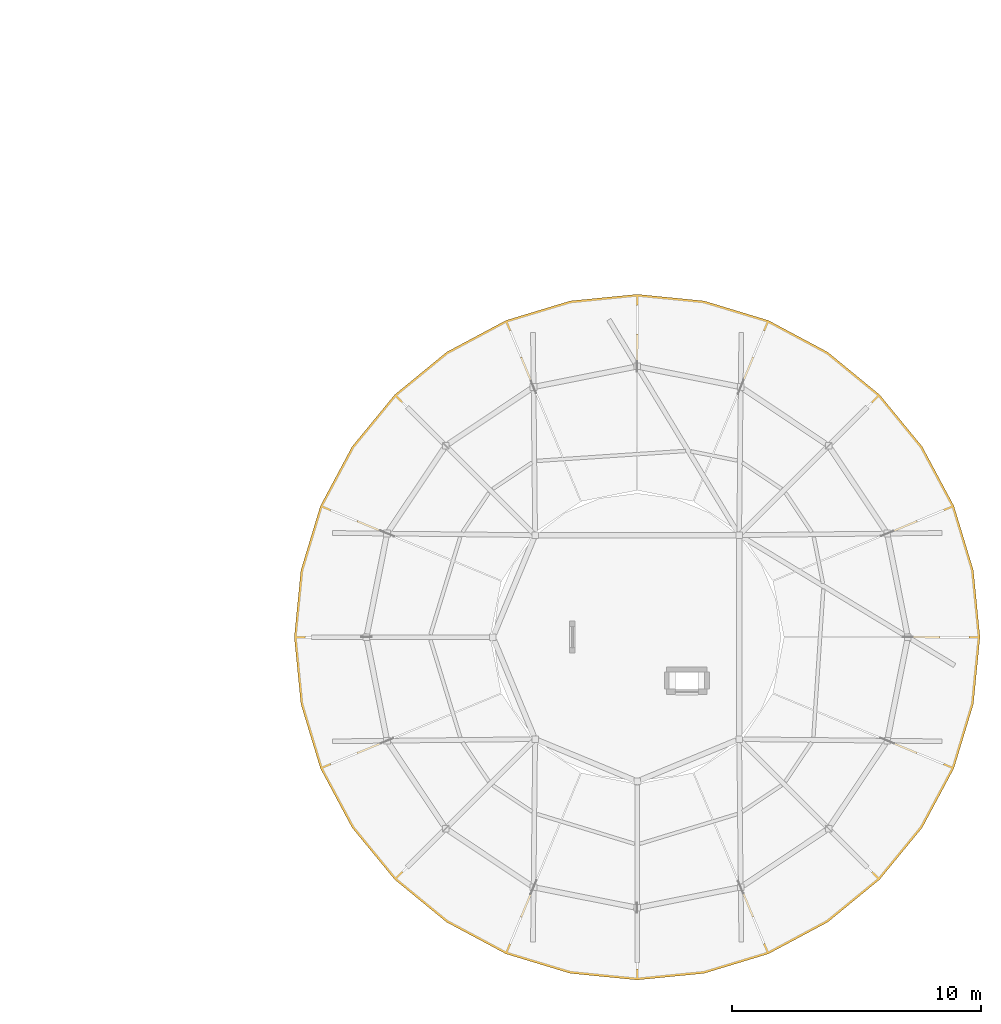
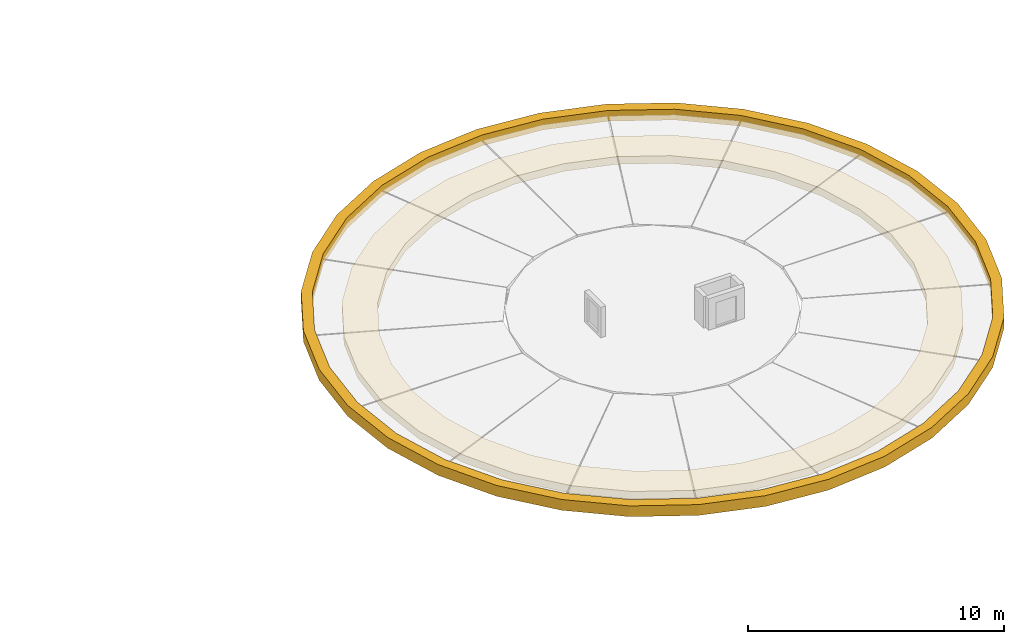
# One storey, part 34 of 37: 2 coverings.
"""IFC4 building model written with IfcOpenShell, lengths in metres."""

from ifc_helpers import new_model, si_unit, direction, frame, origin, place, context, subcontext, project, spatial, polyline, outline, extrude, material, layer, layer_set, type_object, element, save


model = new_model("IFC4")

# Units and contexts
model_context = context("Model", 3, precision=1e-05, world=origin(), true_north=direction((0.0, 1.0)))
body_context = subcontext(model_context, "Body", "Model", "MODEL_VIEW")
ifc_project = project(units=[si_unit("LENGTHUNIT", "METRE"), si_unit("AREAUNIT", "SQUARE_METRE"), si_unit("VOLUMEUNIT", "CUBIC_METRE"), si_unit("PLANEANGLEUNIT", "RADIAN"), si_unit("MASSUNIT", "GRAM", prefix="KILO")], contexts=[model_context])

# Site, building, storey
site_placement = place(None, origin())
site = spatial("IfcSite", under=ifc_project, at=site_placement, CompositionType="ELEMENT")
building_placement = place(site_placement, origin())
building = spatial("IfcBuilding", under=site, at=building_placement, Name="Aldenvaro Health Centre", CompositionType="ELEMENT")
storey_placement = place(building_placement, frame((0.0, 0.0, 12.949951171875)))
storey = spatial("IfcBuildingStorey", under=building, at=storey_placement, Name="L03", CompositionType="ELEMENT", Elevation=12.949951171875)

# Coverings
ifc_material = material(Name="Honed Sonoran Buff Limestone", Category="masonry")
ifc_layer = layer(ifc_material, 0.280029296875, Name="Honed Sonoran Buff Limestone", Category="masonry")
ifc_layer_set = layer_set([ifc_layer], Name="Honed Sonoran Buff Limestone")
covering_type = type_object("IfcCoveringType", Name="COV-CRN-STN", PredefinedType="CLADDING", material=ifc_layer_set)
covering_1_placement = place(storey_placement, frame((0.0, 0.0, 0.260009765625)))
element("IfcCovering", 1, at=covering_1_placement, inside=storey, type_object=covering_type, Name="D6 Classical Roof Entablature Frieze 1", PredefinedType="CLADDING", context=body_context, shape_type="SweptSolid", body=[
    extrude(outline(polyline([(166.679931640625, 18.5), (166.446044921875, 20.8759765625), (165.7529296875, 23.160888671875), (164.626953125, 25.26708984375), (163.113037109375, 27.113037109375), (161.26708984375, 28.626953125), (159.160888671875, 29.7529296875), (156.8759765625, 30.446044921875), (154.5, 30.679931640625), (152.1240234375, 30.446044921875), (149.839111328125, 29.7529296875), (147.73291015625, 28.626953125), (145.886962890625, 27.113037109375), (144.373046875, 25.26708984375), (143.2470703125, 23.160888671875), (142.553955078125, 20.8759765625), (142.320068359375, 18.5), (142.553955078125, 16.1240234375), (143.2470703125, 13.839111328125), (144.373046875, 11.73291015625), (145.886962890625, 9.886962890625), (147.73291015625, 8.373046875), (149.839111328125, 7.2470703125), (152.1240234375, 6.553955078125), (154.5, 6.320068359375), (156.8759765625, 6.553955078125), (159.160888671875, 7.2470703125), (161.26708984375, 8.373046875), (163.113037109375, 9.886962890625), (164.626953125, 11.73291015625), (165.7529296875, 13.839111328125), (166.446044921875, 16.1240234375), (166.679931640625, 18.5)]), holes=[polyline([(165.280029296875, 18.5), (165.072998046875, 16.39697265625), (164.458984375, 14.375), (163.462890625, 12.510986328125), (162.123046875, 10.876953125), (160.489013671875, 9.537109375), (158.625, 8.541015625), (156.60302734375, 7.927001953125), (154.5, 7.719970703125), (152.39697265625, 7.927001953125), (150.375, 8.541015625), (148.510986328125, 9.537109375), (146.876953125, 10.876953125), (145.537109375, 12.510986328125), (144.541015625, 14.375), (143.927001953125, 16.39697265625), (143.719970703125, 18.5), (143.927001953125, 20.60302734375), (144.541015625, 22.625), (145.537109375, 24.489013671875), (146.876953125, 26.123046875), (148.510986328125, 27.462890625), (150.375, 28.458984375), (152.39697265625, 29.072998046875), (154.5, 29.280029296875), (156.60302734375, 29.072998046875), (158.625, 28.458984375), (160.489013671875, 27.462890625), (162.123046875, 26.123046875), (163.462890625, 24.489013671875), (164.458984375, 22.625), (165.072998046875, 20.60302734375), (165.280029296875, 18.5)])]), origin(), (0.0, 0.0, 1.0), 0.364990234375),
])
covering_2_placement = place(storey_placement, frame((0.0, 0.0, 0.5400390625)))
element("IfcCovering", 2, at=covering_2_placement, inside=storey, type_object=covering_type, Name="D6 Classical Overhanging Corona and Attic Ring", PredefinedType="CLADDING", context=body_context, shape_type="SweptSolid", body=[
    extrude(outline(polyline([(168.280029296875, 18.5), (168.014892578125, 21.18798828125), (167.23095703125, 23.77294921875), (165.9580078125, 26.156005859375), (164.243896484375, 28.243896484375), (162.156005859375, 29.9580078125), (159.77294921875, 31.23095703125), (157.18798828125, 32.014892578125), (154.5, 32.280029296875), (151.81201171875, 32.014892578125), (149.22705078125, 31.23095703125), (146.843994140625, 29.9580078125), (144.756103515625, 28.243896484375), (143.0419921875, 26.156005859375), (141.76904296875, 23.77294921875), (140.985107421875, 21.18798828125), (140.719970703125, 18.5), (140.985107421875, 15.81201171875), (141.76904296875, 13.22705078125), (143.0419921875, 10.843994140625), (144.756103515625, 8.756103515625), (146.843994140625, 7.0419921875), (149.22705078125, 5.76904296875), (151.81201171875, 4.985107421875), (154.5, 4.719970703125), (157.18798828125, 4.985107421875), (159.77294921875, 5.76904296875), (162.156005859375, 7.0419921875), (164.243896484375, 8.756103515625), (165.9580078125, 10.843994140625), (167.23095703125, 13.22705078125), (168.014892578125, 15.81201171875), (168.280029296875, 18.5)]), holes=[polyline([(167.840087890625, 18.5), (167.583984375, 15.89697265625), (166.824951171875, 13.39501953125), (165.592041015625, 11.089111328125), (163.93310546875, 9.06689453125), (161.910888671875, 7.407958984375), (159.60498046875, 6.175048828125), (157.10302734375, 5.416015625), (154.5, 5.159912109375), (151.89697265625, 5.416015625), (149.39501953125, 6.175048828125), (147.089111328125, 7.407958984375), (145.06689453125, 9.06689453125), (143.407958984375, 11.089111328125), (142.175048828125, 13.39501953125), (141.416015625, 15.89697265625), (141.159912109375, 18.5), (141.416015625, 21.10302734375), (142.175048828125, 23.60498046875), (143.407958984375, 25.910888671875), (145.06689453125, 27.93310546875), (147.089111328125, 29.592041015625), (149.39501953125, 30.824951171875), (151.89697265625, 31.583984375), (154.5, 31.840087890625), (157.10302734375, 31.583984375), (159.60498046875, 30.824951171875), (161.910888671875, 29.592041015625), (163.93310546875, 27.93310546875), (165.592041015625, 25.910888671875), (166.824951171875, 23.60498046875), (167.583984375, 21.10302734375), (167.840087890625, 18.5)])]), origin(), (0.0, 0.0, 1.0), 0.514892578125),
])

save(model, "model.ifc")
